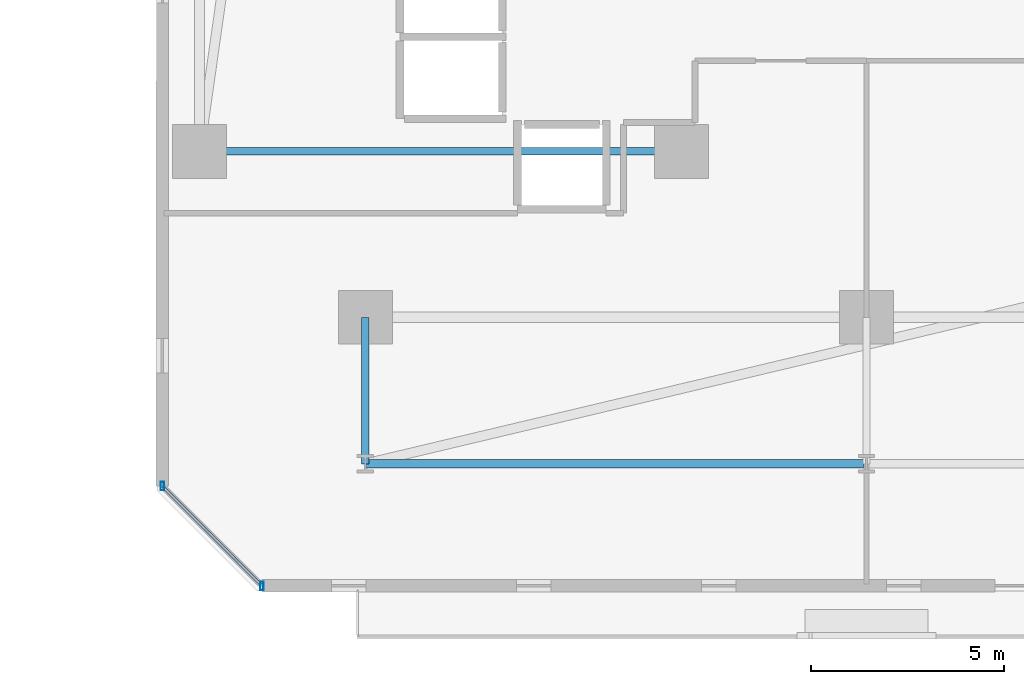
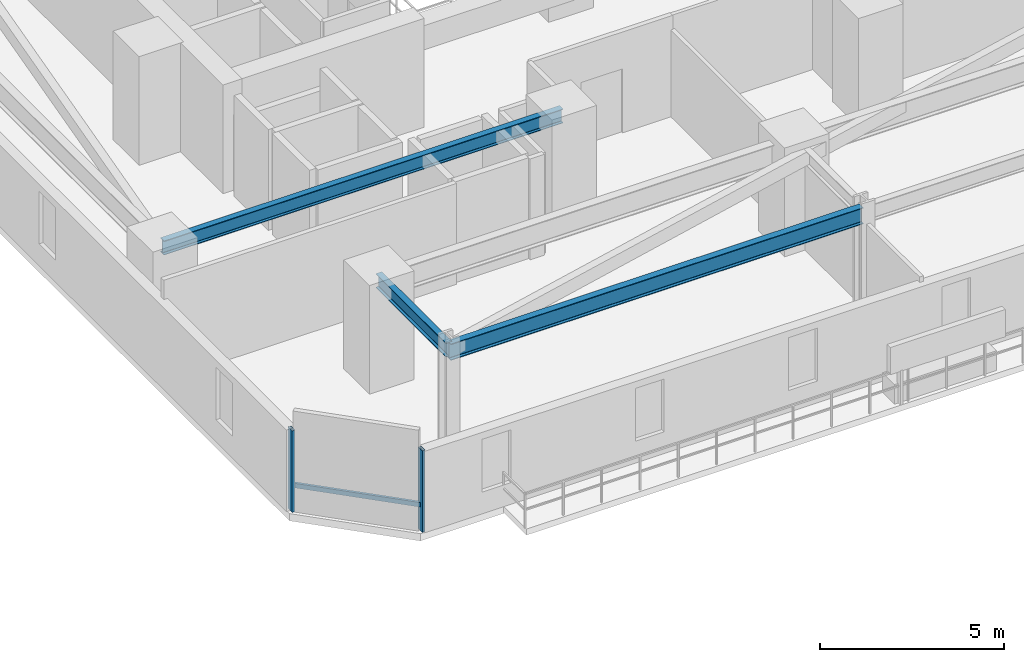
# One storey, part 10 of 33: 3 beams, 3 members, 1 element without a shape of its own.
"""IFC4 building model written with IfcOpenShell, lengths in metres."""

from ifc_helpers import new_model, si_unit, direction, frame, origin, origin_2d, place, context, subcontext, project, spatial, hollow_rectangle, i_section, extrude, material, material_profile, profile_set, type_object, element, aggregate, save


model = new_model("IFC4")

# Units and contexts
model_context = context("Model", 3, precision=1e-05, world=origin(), true_north=direction((0.0, 1.0)))
body_context = subcontext(model_context, "Body", "Model", "MODEL_VIEW")
ifc_project = project(units=[si_unit("LENGTHUNIT", "METRE"), si_unit("AREAUNIT", "SQUARE_METRE"), si_unit("VOLUMEUNIT", "CUBIC_METRE"), si_unit("PLANEANGLEUNIT", "RADIAN"), si_unit("MASSUNIT", "GRAM", prefix="KILO")], contexts=[model_context])

# Site, building, storey
site_placement = place(None, origin())
site = spatial("IfcSite", under=ifc_project, at=site_placement, CompositionType="ELEMENT")
building_placement = place(site_placement, origin())
building = spatial("IfcBuilding", under=site, at=building_placement, Name="Thornwick Lancets Civic Towers", CompositionType="ELEMENT")
storey_placement = place(building_placement, frame((0.0, 0.0, 35.10009765625)))
storey = spatial("IfcBuildingStorey", under=building, at=storey_placement, Name="L08", CompositionType="ELEMENT", Elevation=35.10009765625)

# Beams
ifc_material_1 = material(Name="Steel S355JR", Category="steel")
ifc_material_profile_1 = material_profile(ifc_material_1, i_section(OverallWidth=0.2119140625, OverallDepth=0.54443359375, WebThickness=0.0126953125, FlangeThickness=0.021240234375, FilletRadius=0.0126953125, at=origin_2d()), Name="UKB 533x210x122")
ifc_profile_set_1 = profile_set([ifc_material_profile_1], Name="Steel S355JR")
beam_type_1 = type_object("IfcBeamType", Name="BM_EDGE_533_122", PredefinedType="SPANDREL", material=ifc_profile_set_1)
beam_1_placement = place(storey_placement, frame((88.419921875, 5.89990234375, 3.087646484375), z_axis=(-1.0, 0.0, 0.0), x_axis=(0.0, -1.0, 0.0)))
element("IfcBeam", 1, at=beam_1_placement, inside=storey, type_object=beam_type_1, Name="BM-EDGE-L08-B-S3-2", PredefinedType="SPANDREL", context=body_context, shape_type="SweptSolid", body=[
    extrude(i_section(OverallWidth=0.2119140625, OverallDepth=0.54443359375, WebThickness=0.0126953125, FlangeThickness=0.021240234375, FilletRadius=0.0126953125, at=origin_2d()), origin(), (0.0, 0.0, 1.0), 12.919921875),
])
ifc_material_profile_2 = material_profile(ifc_material_1, i_section(OverallWidth=0.19287109375, OverallDepth=0.46728515625, WebThickness=0.011474609375, FlangeThickness=0.01953125, FilletRadius=0.01025390625, at=origin_2d()), Name="UKB 457x191x98")
ifc_profile_set_2 = profile_set([ifc_material_profile_2], Name="Steel S355JR")
beam_type_2 = type_object("IfcBeamType", Name="BM_JOIST_457_98", PredefinedType="JOIST", material=ifc_profile_set_2)
beam_2_placement = place(storey_placement, frame((83.699951171875, 14.0, 3.126220703125), z_axis=(-1.0, 0.0, 0.0), x_axis=(0.0, -1.0, 0.0)))
element("IfcBeam", 2, at=beam_2_placement, inside=storey, type_object=beam_type_2, Name="BM-RADIN-L08-B07", PredefinedType="JOIST", context=body_context, shape_type="SweptSolid", body=[
    extrude(i_section(OverallWidth=0.19287109375, OverallDepth=0.46728515625, WebThickness=0.011474609375, FlangeThickness=0.01953125, FilletRadius=0.01025390625, at=origin_2d()), origin(), (0.0, 0.0, 1.0), 12.5),
])
beam_3_placement = place(storey_placement, frame((75.5, 9.699951171875, 3.126220703125), z_axis=(0.0, -1.0, 0.0), x_axis=(1.0, 0.0, 0.0)))
element("IfcBeam", 3, at=beam_3_placement, inside=storey, type_object=beam_type_2, Name="BM-RAD-L08-B12", PredefinedType="JOIST", context=body_context, shape_type="SweptSolid", body=[
    extrude(i_section(OverallWidth=0.19287109375, OverallDepth=0.46728515625, WebThickness=0.011474609375, FlangeThickness=0.01953125, FilletRadius=0.01025390625, at=origin_2d()), origin(), (0.0, 0.0, 1.0), 3.800048828125),
])

# Curtain wall, members
ifc_material_2 = material(Name="Low-zone chamfered-corner unitised glass curtain wall", Category="glass")
curtain_wall_type = type_object("IfcCurtainWallType", Name="CW_SYS_03", PredefinedType="NOTDEFINED", material=ifc_material_2)
curtain_wall_placement = place(storey_placement, origin())
curtain_wall = element("IfcCurtainWall", 4, at=curtain_wall_placement, inside=storey, type_object=curtain_wall_type, Name="L08 Curtain Wall CW-L08-B-E7", PredefinedType="NOTDEFINED")
ifc_material_3 = material(Name="Thermally broken bronze aluminium S355", Category="steel")
ifc_material_profile_3 = material_profile(ifc_material_3, hollow_rectangle(XDim=0.090087890625, YDim=0.219970703125, WallThickness=0.00634765625, at=origin_2d()), Name="RHS 220x90x6.3")
ifc_profile_set_3 = profile_set([ifc_material_profile_3], Name="Thermally broken bronze aluminium S355")
member_type_1 = type_object("IfcMemberType", Name="CW_MUL_220", PredefinedType="MULLION", material=ifc_profile_set_3)
member_1_placement = place(storey_placement, frame((70.235107421875, 5.31884765625, 0.0), z_axis=(0.0, 0.0, 1.0), x_axis=(1.0, 0.0, 0.0)))
member_1 = element("IfcMember", 5, at=member_1_placement, type_object=member_type_1, Name="CW-L08-B-E7 Mullion 0", PredefinedType="MULLION", context=body_context, shape_type="SweptSolid", body=[
    extrude(hollow_rectangle(XDim=0.090087890625, YDim=0.219970703125, WallThickness=0.00634765625, at=origin_2d()), origin(), (0.0, 0.0, 1.0), 2.699951171875),
])
member_2_placement = place(storey_placement, frame((72.81884765625, 2.735107421875, 0.0), z_axis=(0.0, 0.0, 1.0), x_axis=(1.0, 0.0, 0.0)))
member_2 = element("IfcMember", 6, at=member_2_placement, type_object=member_type_1, Name="CW-L08-B-E7 Mullion 1", PredefinedType="MULLION", context=body_context, shape_type="SweptSolid", body=[
    extrude(hollow_rectangle(XDim=0.090087890625, YDim=0.219970703125, WallThickness=0.00634765625, at=origin_2d()), origin(), (0.0, 0.0, 1.0), 2.699951171875),
])
ifc_material_profile_4 = material_profile(ifc_material_3, hollow_rectangle(XDim=0.074951171875, YDim=0.14990234375, WallThickness=0.0048828125, at=origin_2d()), Name="RHS 150x75x5")
ifc_profile_set_4 = profile_set([ifc_material_profile_4], Name="Thermally broken bronze aluminium S355")
member_type_2 = type_object("IfcMemberType", Name="CW_TRN_150", PredefinedType="USERDEFINED", material=ifc_profile_set_4)
member_3_placement = place(storey_placement, frame((70.249267578125, 5.3046875, 0.849853515625), z_axis=(0.707106781187, -0.707106781187, 0.0), x_axis=(0.707106781187, 0.707106781187, 0.0)))
member_3 = element("IfcMember", 7, at=member_3_placement, type_object=member_type_2, Name="CW-L08-B-E7 Transom 0", ObjectType="TRANSOM", PredefinedType="USERDEFINED", context=body_context, shape_type="SweptSolid", body=[
    extrude(hollow_rectangle(XDim=0.074951171875, YDim=0.14990234375, WallThickness=0.0048828125, at=origin_2d()), origin(), (0.0, 0.0, 1.0), 3.614013671875),
])
aggregate(curtain_wall, [member_1, member_2, member_3])

save(model, "model.ifc")
